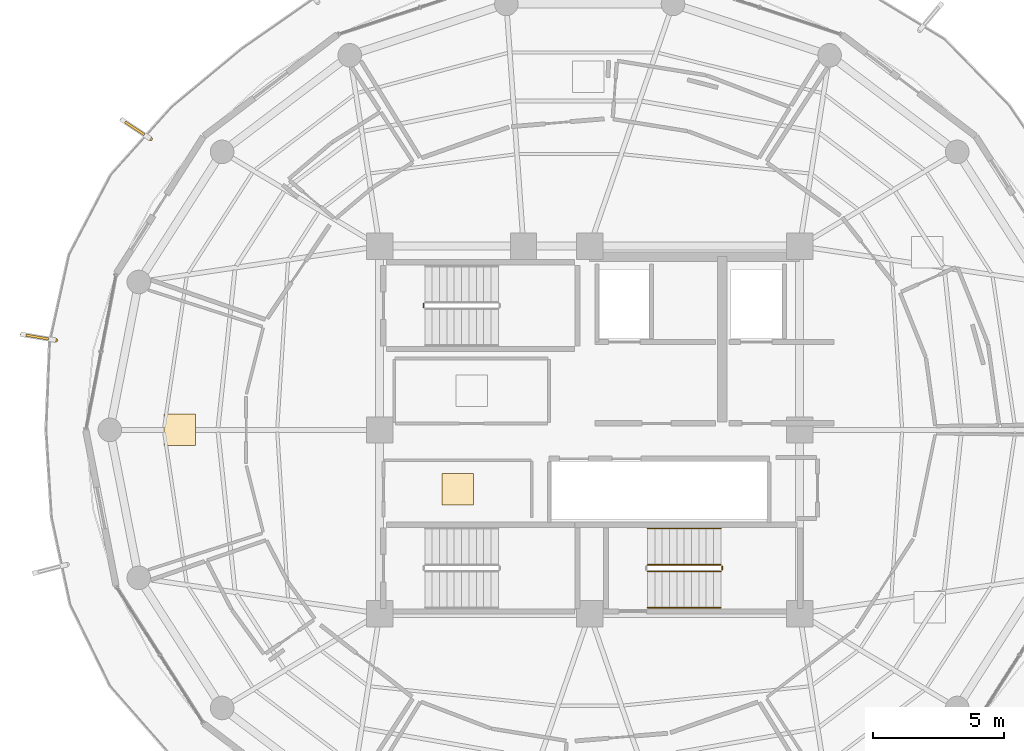
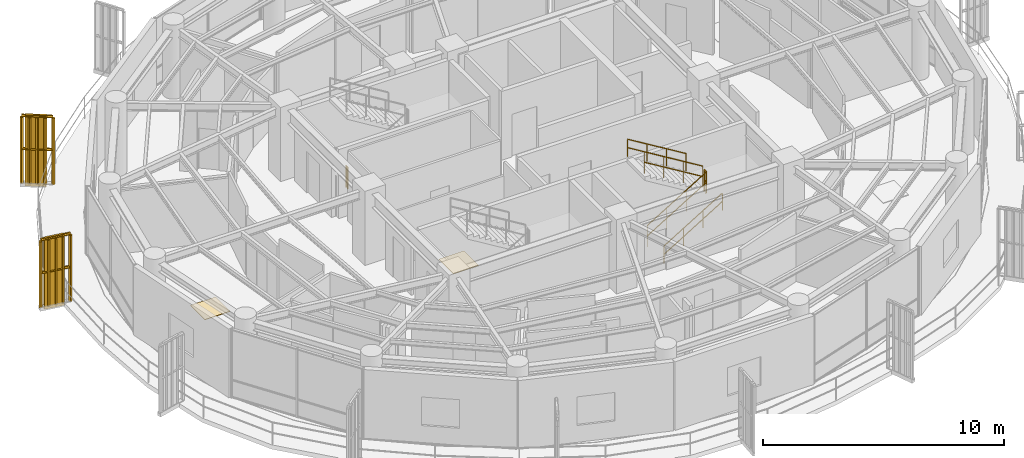
# One storey, part 20 of 22: 8 railings, 2 coverings, 2 shading devices.
"""IFC4 building model written with IfcOpenShell, lengths in metres."""

from ifc_helpers import new_model, si_unit, direction, frame, origin, origin_2d, place, context, subcontext, project, spatial, polyline, rectangle, outline, extrude, source, transform, mapped, material, layer, layer_set, type_object, element, save


model = new_model("IFC4")

# Units and contexts
model_context = context("Model", 3, precision=1e-05, world=origin(), true_north=direction((0.0, 1.0)))
body_context = subcontext(model_context, "Body", "Model", "MODEL_VIEW")
ifc_project = project(units=[si_unit("LENGTHUNIT", "METRE"), si_unit("AREAUNIT", "SQUARE_METRE"), si_unit("VOLUMEUNIT", "CUBIC_METRE"), si_unit("PLANEANGLEUNIT", "RADIAN"), si_unit("MASSUNIT", "GRAM", prefix="KILO")], contexts=[model_context])

# Site, building, storey
site_placement = place(None, origin())
site = spatial("IfcSite", under=ifc_project, at=site_placement, CompositionType="ELEMENT")
building_placement = place(site_placement, origin())
building = spatial("IfcBuilding", under=site, at=building_placement, Name="Kelanora Arch Commons", CompositionType="ELEMENT")
storey_placement = place(building_placement, frame((0.0, 0.0, 271.199951171875)))
storey = spatial("IfcBuildingStorey", under=building, at=storey_placement, Name="L69", CompositionType="ELEMENT", Elevation=271.199951171875)

# Railings
ifc_material_1 = material(Name="Anodised bronze vertical shading fin rib assembly")
railing_type_1 = type_object("IfcRailingType", Name="RAIL-FIN-BRZ", PredefinedType="BALUSTRADE", material=ifc_material_1)
railing_1_placement = place(storey_placement, frame((57.269287109375, 69.09130859375, -0.02001953125)))
element("IfcRailing", 1, at=railing_1_placement, inside=storey, type_object=railing_type_1, Name="Sweeping Bronze Vertical Fin Blade L69-07", PredefinedType="BALUSTRADE", context=body_context, shape_type="SweptSolid", body=[
    extrude(outline(polyline([(0.06982421875, 0.0), (0.034912109375, 0.060546875), (-0.034912109375, 0.060546875), (-0.06982421875, 0.0), (-0.034912109375, -0.060546875), (0.034912109375, -0.060546875), (0.06982421875, 0.0)])), frame((0.0, 0.0, 3.419921875), z_axis=(-0.833429207488, 0.552626235448, 0.0), x_axis=(-0.552626235448, -0.833429207488, 0.0)), (0.0, 0.0, 1.0), 1.304931640625),
    extrude(outline(polyline([(0.06982421875, 0.0), (0.034912109375, 0.060546875), (-0.034912109375, 0.060546875), (-0.06982421875, 0.0), (-0.034912109375, -0.060546875), (0.034912109375, -0.060546875), (0.06982421875, 0.0)])), frame((0.0, 0.0, 1.7451171875), z_axis=(-0.833429207488, 0.552626235448, 0.0), x_axis=(-0.552626235448, -0.833429207488, 0.0)), (0.0, 0.0, 1.0), 1.304931640625),
    extrude(outline(polyline([(0.080078125, 0.0), (0.0400390625, 0.0693359375), (-0.0400390625, 0.0693359375), (-0.080078125, 0.0), (-0.0400390625, -0.0693359375), (0.0400390625, -0.0693359375), (0.080078125, 0.0)])), origin(), (0.0, 0.0, 1.0), 3.35009765625),
    extrude(outline(polyline([(0.080078125, 0.0), (0.0400390625, 0.0693359375), (-0.0400390625, 0.0693359375), (-0.080078125, 0.0), (-0.0400390625, -0.0693359375), (0.0400390625, -0.0693359375), (0.080078125, 0.0)])), frame((-0.27197265625, 0.18017578125, 0.0)), (0.0, 0.0, 1.0), 3.35009765625),
    extrude(outline(polyline([(0.080078125, 0.0), (0.0400390625, 0.0693359375), (-0.0400390625, 0.0693359375), (-0.080078125, 0.0), (-0.0400390625, -0.0693359375), (0.0400390625, -0.0693359375), (0.080078125, 0.0)])), frame((-0.5439453125, 0.360595703125, 0.0)), (0.0, 0.0, 1.0), 3.35009765625),
    extrude(outline(polyline([(0.080078125, 0.0), (0.0400390625, 0.0693359375), (-0.0400390625, 0.0693359375), (-0.080078125, 0.0), (-0.0400390625, -0.0693359375), (0.0400390625, -0.0693359375), (0.080078125, 0.0)])), frame((-0.815673828125, 0.541015625, 0.0)), (0.0, 0.0, 1.0), 3.35009765625),
    extrude(outline(polyline([(0.080078125, 0.0), (0.0400390625, 0.0693359375), (-0.0400390625, 0.0693359375), (-0.080078125, 0.0), (-0.0400390625, -0.0693359375), (0.0400390625, -0.0693359375), (0.080078125, 0.0)])), frame((-1.087646484375, 0.72119140625, 0.0)), (0.0, 0.0, 1.0), 3.35009765625),
])
railing_2_placement = place(storey_placement, frame((53.663818359375, 61.41845703125, -0.02001953125)))
element("IfcRailing", 2, at=railing_2_placement, inside=storey, type_object=railing_type_1, Name="Sweeping Bronze Vertical Fin Blade L69-08", PredefinedType="BALUSTRADE", context=body_context, shape_type="SweptSolid", body=[
    extrude(outline(polyline([(0.06982421875, 0.0), (0.034912109375, 0.060546875), (-0.034912109375, 0.060546875), (-0.06982421875, 0.0), (-0.034912109375, -0.060546875), (0.034912109375, -0.060546875), (0.06982421875, 0.0)])), frame((0.0, 0.0, 3.419921875), z_axis=(-0.986165433862, 0.165764100626, 0.0), x_axis=(-0.165764100626, -0.986165433862, 0.0)), (0.0, 0.0, 1.0), 1.304931640625),
    extrude(outline(polyline([(0.06982421875, 0.0), (0.034912109375, 0.060546875), (-0.034912109375, 0.060546875), (-0.06982421875, 0.0), (-0.034912109375, -0.060546875), (0.034912109375, -0.060546875), (0.06982421875, 0.0)])), frame((0.0, 0.0, 1.7451171875), z_axis=(-0.986165433862, 0.165764100626, 0.0), x_axis=(-0.165764100626, -0.986165433862, 0.0)), (0.0, 0.0, 1.0), 1.304931640625),
    extrude(outline(polyline([(0.080078125, 0.0), (0.0400390625, 0.0693359375), (-0.0400390625, 0.0693359375), (-0.080078125, 0.0), (-0.0400390625, -0.0693359375), (0.0400390625, -0.0693359375), (0.080078125, 0.0)])), origin(), (0.0, 0.0, 1.0), 3.35009765625),
    extrude(outline(polyline([(0.080078125, 0.0), (0.0400390625, 0.0693359375), (-0.0400390625, 0.0693359375), (-0.080078125, 0.0), (-0.0400390625, -0.0693359375), (0.0400390625, -0.0693359375), (0.080078125, 0.0)])), frame((-0.32177734375, 0.05419921875, 0.0)), (0.0, 0.0, 1.0), 3.35009765625),
    extrude(outline(polyline([(0.080078125, 0.0), (0.0400390625, 0.0693359375), (-0.0400390625, 0.0693359375), (-0.080078125, 0.0), (-0.0400390625, -0.0693359375), (0.0400390625, -0.0693359375), (0.080078125, 0.0)])), frame((-0.6435546875, 0.108154296875, 0.0)), (0.0, 0.0, 1.0), 3.35009765625),
    extrude(outline(polyline([(0.080078125, 0.0), (0.0400390625, 0.0693359375), (-0.0400390625, 0.0693359375), (-0.080078125, 0.0), (-0.0400390625, -0.0693359375), (0.0400390625, -0.0693359375), (0.080078125, 0.0)])), frame((-0.965087890625, 0.162109375, 0.0)), (0.0, 0.0, 1.0), 3.35009765625),
    extrude(outline(polyline([(0.080078125, 0.0), (0.0400390625, 0.0693359375), (-0.0400390625, 0.0693359375), (-0.080078125, 0.0), (-0.0400390625, -0.0693359375), (0.0400390625, -0.0693359375), (0.080078125, 0.0)])), frame((-1.286865234375, 0.21630859375, 0.0)), (0.0, 0.0, 1.0), 3.35009765625),
])
ifc_material_2 = material(Name="Painted steel stair well guard", Category="steel")
railing_type_2 = type_object("IfcRailingType", Name="RAIL-STAIR-GRD", PredefinedType="GUARDRAIL", material=ifc_material_2)
railing_3_placement = place(storey_placement, frame((67.669921875, 62.659912109375, 0.0)))
element("IfcRailing", 3, at=railing_3_placement, inside=storey, type_object=railing_type_2, Name="L69 ST-T1 stair guard 4", PredefinedType="GUARDRAIL", context=body_context, shape_type="SweptSolid", body=[
    extrude(outline(polyline([(0.02392578125, 0.0), (0.011962890625, 0.020751953125), (-0.011962890625, 0.020751953125), (-0.02392578125, 0.0), (-0.011962890625, -0.020751953125), (0.011962890625, -0.020751953125), (0.02392578125, 0.0)])), frame((0.0, 0.0, 1.076171875), z_axis=(0.0, 1.0, 0.0), x_axis=(-1.0, 0.0, 0.0)), (0.0, 0.0, 1.0), 0.150146484375),
    extrude(outline(polyline([(0.02392578125, 0.0), (0.011962890625, 0.020751953125), (-0.011962890625, 0.020751953125), (-0.02392578125, 0.0), (-0.011962890625, -0.020751953125), (0.011962890625, -0.020751953125), (0.02392578125, 0.0)])), frame((0.0, 0.0, 0.550048828125), z_axis=(0.0, 1.0, 0.0), x_axis=(-1.0, 0.0, 0.0)), (0.0, 0.0, 1.0), 0.150146484375),
    extrude(outline(polyline([(0.02099609375, 0.0), (0.010498046875, 0.01806640625), (-0.010498046875, 0.01806640625), (-0.02099609375, 0.0), (-0.010498046875, -0.01806640625), (0.010498046875, -0.01806640625), (0.02099609375, 0.0)])), origin(), (0.0, 0.0, 1.0), 1.052001953125),
    extrude(outline(polyline([(0.02099609375, 0.0), (0.010498046875, 0.01806640625), (-0.010498046875, 0.01806640625), (-0.02099609375, 0.0), (-0.010498046875, -0.01806640625), (0.010498046875, -0.01806640625), (0.02099609375, 0.0)])), frame((0.0, 0.150146484375, 0.0)), (0.0, 0.0, 1.0), 1.052001953125),
])
railing_4_placement = place(storey_placement, frame((76.199951171875, 52.610107421875, 0.17041015625)))
element("IfcRailing", 4, at=railing_4_placement, inside=storey, type_object=railing_type_2, Name="L69 ST-T2 stair guard 1", PredefinedType="GUARDRAIL", context=body_context, shape_type="SweptSolid", body=[
    extrude(outline(polyline([(0.02392578125, 0.0), (0.011962890625, 0.020751953125), (-0.011962890625, 0.020751953125), (-0.02392578125, 0.0), (-0.011962890625, -0.020751953125), (0.011962890625, -0.020751953125), (0.02392578125, 0.0)])), frame((0.0, 0.0, 1.076171875), z_axis=(0.854169791009, 0.0, 0.51999420009), x_axis=(0.0, 1.0, 0.0)), (0.0, 0.0, 1.0), 3.278076171875),
    extrude(outline(polyline([(0.02392578125, 0.0), (0.011962890625, 0.020751953125), (-0.011962890625, 0.020751953125), (-0.02392578125, 0.0), (-0.011962890625, -0.020751953125), (0.011962890625, -0.020751953125), (0.02392578125, 0.0)])), frame((0.0, 0.0, 0.550048828125), z_axis=(0.854169791009, 0.0, 0.51999420009), x_axis=(0.0, 1.0, 0.0)), (0.0, 0.0, 1.0), 3.278076171875),
    extrude(outline(polyline([(0.02099609375, 0.0), (0.010498046875, 0.01806640625), (-0.010498046875, 0.01806640625), (-0.02099609375, 0.0), (-0.010498046875, -0.01806640625), (0.010498046875, -0.01806640625), (0.02099609375, 0.0)])), origin(), (0.0, 0.0, 1.0), 1.052001953125),
    extrude(outline(polyline([(0.02099609375, 0.0), (0.010498046875, 0.01806640625), (-0.010498046875, 0.01806640625), (-0.02099609375, 0.0), (-0.010498046875, -0.01806640625), (0.010498046875, -0.01806640625), (0.02099609375, 0.0)])), frame((0.933349609375, 0.0, 0.568115234375)), (0.0, 0.0, 1.0), 1.052001953125),
    extrude(outline(polyline([(0.02099609375, 0.0), (0.010498046875, 0.01806640625), (-0.010498046875, 0.01806640625), (-0.02099609375, 0.0), (-0.010498046875, -0.01806640625), (0.010498046875, -0.01806640625), (0.02099609375, 0.0)])), frame((1.86669921875, 0.0, 1.136474609375)), (0.0, 0.0, 1.0), 1.052001953125),
    extrude(outline(polyline([(0.02099609375, 0.0), (0.010498046875, 0.01806640625), (-0.010498046875, 0.01806640625), (-0.02099609375, 0.0), (-0.010498046875, -0.01806640625), (0.010498046875, -0.01806640625), (0.02099609375, 0.0)])), frame((2.800048828125, 0.0, 1.70458984375)), (0.0, 0.0, 1.0), 1.052001953125),
])
railing_5_placement = place(storey_placement, frame((79.050048828125, 52.659912109375, 1.875)))
element("IfcRailing", 5, at=railing_5_placement, inside=storey, type_object=railing_type_2, Name="L69 ST-T2 stair guard 2", PredefinedType="GUARDRAIL", context=body_context, shape_type="SweptSolid", body=[
    extrude(outline(polyline([(0.02392578125, 0.0), (0.011962890625, 0.020751953125), (-0.011962890625, 0.020751953125), (-0.02392578125, 0.0), (-0.011962890625, -0.020751953125), (0.011962890625, -0.020751953125), (0.02392578125, 0.0)])), frame((0.0, 0.0, 1.076171875), z_axis=(0.0, 1.0, 0.0), x_axis=(-1.0, 0.0, 0.0)), (0.0, 0.0, 1.0), 0.150146484375),
    extrude(outline(polyline([(0.02392578125, 0.0), (0.011962890625, 0.020751953125), (-0.011962890625, 0.020751953125), (-0.02392578125, 0.0), (-0.011962890625, -0.020751953125), (0.011962890625, -0.020751953125), (0.02392578125, 0.0)])), frame((0.0, 0.0, 0.550048828125), z_axis=(0.0, 1.0, 0.0), x_axis=(-1.0, 0.0, 0.0)), (0.0, 0.0, 1.0), 0.150146484375),
    extrude(outline(polyline([(0.02099609375, 0.0), (0.010498046875, 0.01806640625), (-0.010498046875, 0.01806640625), (-0.02099609375, 0.0), (-0.010498046875, -0.01806640625), (0.010498046875, -0.01806640625), (0.02099609375, 0.0)])), origin(), (0.0, 0.0, 1.0), 1.052001953125),
    extrude(outline(polyline([(0.02099609375, 0.0), (0.010498046875, 0.01806640625), (-0.010498046875, 0.01806640625), (-0.02099609375, 0.0), (-0.010498046875, -0.01806640625), (0.010498046875, -0.01806640625), (0.02099609375, 0.0)])), frame((0.0, 0.150146484375, 0.0)), (0.0, 0.0, 1.0), 1.052001953125),
])
railing_6_placement = place(storey_placement, frame((79.0, 52.860107421875, 2.04541015625)))
element("IfcRailing", 6, at=railing_6_placement, inside=storey, type_object=railing_type_2, Name="L69 ST-T2 stair guard 3", PredefinedType="GUARDRAIL", context=body_context, shape_type="SweptSolid", body=[
    extrude(outline(polyline([(0.02392578125, 0.0), (0.011962890625, 0.020751953125), (-0.011962890625, 0.020751953125), (-0.02392578125, 0.0), (-0.011962890625, -0.020751953125), (0.011962890625, -0.020751953125), (0.02392578125, 0.0)])), frame((0.0, 0.0, 1.076171875), z_axis=(-0.854169791009, 0.0, 0.51999420009), x_axis=(0.0, -1.0, 0.0)), (0.0, 0.0, 1.0), 3.278076171875),
    extrude(outline(polyline([(0.02392578125, 0.0), (0.011962890625, 0.020751953125), (-0.011962890625, 0.020751953125), (-0.02392578125, 0.0), (-0.011962890625, -0.020751953125), (0.011962890625, -0.020751953125), (0.02392578125, 0.0)])), frame((0.0, 0.0, 0.550048828125), z_axis=(-0.854169791009, 0.0, 0.51999420009), x_axis=(0.0, -1.0, 0.0)), (0.0, 0.0, 1.0), 3.278076171875),
    extrude(outline(polyline([(0.02099609375, 0.0), (0.010498046875, 0.01806640625), (-0.010498046875, 0.01806640625), (-0.02099609375, 0.0), (-0.010498046875, -0.01806640625), (0.010498046875, -0.01806640625), (0.02099609375, 0.0)])), origin(), (0.0, 0.0, 1.0), 1.052001953125),
    extrude(outline(polyline([(0.02099609375, 0.0), (0.010498046875, 0.01806640625), (-0.010498046875, 0.01806640625), (-0.02099609375, 0.0), (-0.010498046875, -0.01806640625), (0.010498046875, -0.01806640625), (0.02099609375, 0.0)])), frame((-0.933349609375, 0.0, 0.568115234375)), (0.0, 0.0, 1.0), 1.052001953125),
    extrude(outline(polyline([(0.02099609375, 0.0), (0.010498046875, 0.01806640625), (-0.010498046875, 0.01806640625), (-0.02099609375, 0.0), (-0.010498046875, -0.01806640625), (0.010498046875, -0.01806640625), (0.02099609375, 0.0)])), frame((-1.86669921875, 0.0, 1.136474609375)), (0.0, 0.0, 1.0), 1.052001953125),
    extrude(outline(polyline([(0.02099609375, 0.0), (0.010498046875, 0.01806640625), (-0.010498046875, 0.01806640625), (-0.02099609375, 0.0), (-0.010498046875, -0.01806640625), (0.010498046875, -0.01806640625), (0.02099609375, 0.0)])), frame((-2.800048828125, 0.0, 1.70458984375)), (0.0, 0.0, 1.0), 1.052001953125),
])
ifc_material_3 = material(Name="Brushed stainless steel stair handrail", Category="steel")
railing_type_3 = type_object("IfcRailingType", Name="RAIL-STAIR-HND", PredefinedType="HANDRAIL", material=ifc_material_3)
railing_7_placement = place(storey_placement, frame((76.199951171875, 51.22998046875, 0.17041015625)))
element("IfcRailing", 7, at=railing_7_placement, inside=storey, type_object=railing_type_3, Name="L69 ST-T2 stair handrail 1", PredefinedType="HANDRAIL", context=body_context, shape_type="SweptSolid", body=[
    extrude(outline(polyline([(0.02392578125, 0.0), (0.011962890625, 0.020751953125), (-0.011962890625, 0.020751953125), (-0.02392578125, 0.0), (-0.011962890625, -0.020751953125), (0.011962890625, -0.020751953125), (0.02392578125, 0.0)])), frame((0.0, 0.0, 0.8759765625), z_axis=(0.854169791009, 0.0, 0.51999420009), x_axis=(0.0, 1.0, 0.0)), (0.0, 0.0, 1.0), 3.278076171875),
    extrude(outline(polyline([(0.02392578125, 0.0), (0.011962890625, 0.020751953125), (-0.011962890625, 0.020751953125), (-0.02392578125, 0.0), (-0.011962890625, -0.020751953125), (0.011962890625, -0.020751953125), (0.02392578125, 0.0)])), frame((0.0, 0.0, 0.449951171875), z_axis=(0.854169791009, 0.0, 0.51999420009), x_axis=(0.0, 1.0, 0.0)), (0.0, 0.0, 1.0), 3.278076171875),
    extrude(outline(polyline([(0.02099609375, 0.0), (0.010498046875, 0.01806640625), (-0.010498046875, 0.01806640625), (-0.02099609375, 0.0), (-0.010498046875, -0.01806640625), (0.010498046875, -0.01806640625), (0.02099609375, 0.0)])), origin(), (0.0, 0.0, 1.0), 0.851806640625),
    extrude(outline(polyline([(0.02099609375, 0.0), (0.010498046875, 0.01806640625), (-0.010498046875, 0.01806640625), (-0.02099609375, 0.0), (-0.010498046875, -0.01806640625), (0.010498046875, -0.01806640625), (0.02099609375, 0.0)])), frame((0.933349609375, 0.0, 0.568115234375)), (0.0, 0.0, 1.0), 0.851806640625),
    extrude(outline(polyline([(0.02099609375, 0.0), (0.010498046875, 0.01806640625), (-0.010498046875, 0.01806640625), (-0.02099609375, 0.0), (-0.010498046875, -0.01806640625), (0.010498046875, -0.01806640625), (0.02099609375, 0.0)])), frame((1.86669921875, 0.0, 1.136474609375)), (0.0, 0.0, 1.0), 0.851806640625),
    extrude(outline(polyline([(0.02099609375, 0.0), (0.010498046875, 0.01806640625), (-0.010498046875, 0.01806640625), (-0.02099609375, 0.0), (-0.010498046875, -0.01806640625), (0.010498046875, -0.01806640625), (0.02099609375, 0.0)])), frame((2.800048828125, 0.0, 1.70458984375)), (0.0, 0.0, 1.0), 0.851806640625),
])
railing_8_placement = place(storey_placement, frame((79.0, 54.239990234375, 2.04541015625)))
element("IfcRailing", 8, at=railing_8_placement, inside=storey, type_object=railing_type_3, Name="L69 ST-T2 stair handrail 2", PredefinedType="HANDRAIL", context=body_context, shape_type="SweptSolid", body=[
    extrude(outline(polyline([(0.02392578125, 0.0), (0.011962890625, 0.020751953125), (-0.011962890625, 0.020751953125), (-0.02392578125, 0.0), (-0.011962890625, -0.020751953125), (0.011962890625, -0.020751953125), (0.02392578125, 0.0)])), frame((0.0, 0.0, 0.8759765625), z_axis=(-0.854169791009, 0.0, 0.51999420009), x_axis=(0.0, -1.0, 0.0)), (0.0, 0.0, 1.0), 3.278076171875),
    extrude(outline(polyline([(0.02392578125, 0.0), (0.011962890625, 0.020751953125), (-0.011962890625, 0.020751953125), (-0.02392578125, 0.0), (-0.011962890625, -0.020751953125), (0.011962890625, -0.020751953125), (0.02392578125, 0.0)])), frame((0.0, 0.0, 0.449951171875), z_axis=(-0.854169791009, 0.0, 0.51999420009), x_axis=(0.0, -1.0, 0.0)), (0.0, 0.0, 1.0), 3.278076171875),
    extrude(outline(polyline([(0.02099609375, 0.0), (0.010498046875, 0.01806640625), (-0.010498046875, 0.01806640625), (-0.02099609375, 0.0), (-0.010498046875, -0.01806640625), (0.010498046875, -0.01806640625), (0.02099609375, 0.0)])), origin(), (0.0, 0.0, 1.0), 0.851806640625),
    extrude(outline(polyline([(0.02099609375, 0.0), (0.010498046875, 0.01806640625), (-0.010498046875, 0.01806640625), (-0.02099609375, 0.0), (-0.010498046875, -0.01806640625), (0.010498046875, -0.01806640625), (0.02099609375, 0.0)])), frame((-0.933349609375, 0.0, 0.568115234375)), (0.0, 0.0, 1.0), 0.851806640625),
    extrude(outline(polyline([(0.02099609375, 0.0), (0.010498046875, 0.01806640625), (-0.010498046875, 0.01806640625), (-0.02099609375, 0.0), (-0.010498046875, -0.01806640625), (0.010498046875, -0.01806640625), (0.02099609375, 0.0)])), frame((-1.86669921875, 0.0, 1.136474609375)), (0.0, 0.0, 1.0), 0.851806640625),
    extrude(outline(polyline([(0.02099609375, 0.0), (0.010498046875, 0.01806640625), (-0.010498046875, 0.01806640625), (-0.02099609375, 0.0), (-0.010498046875, -0.01806640625), (0.010498046875, -0.01806640625), (0.02099609375, 0.0)])), frame((-2.800048828125, 0.0, 1.70458984375)), (0.0, 0.0, 1.0), 0.851806640625),
])

# Shading devices
ifc_material_4 = material(Name="Terracotta ceramic-clad extruded aluminium fin", Category="masonry")
shading_device_type = type_object("IfcShadingDeviceType", Name="SHD-FIN-FLARE", PredefinedType="USERDEFINED", material=ifc_material_4)
shared_shape_1 = source(origin(), body_context, "Body", "SweptSolid", [
    extrude(rectangle(XDim=0.8798828125, YDim=0.090087890625, at=origin_2d()), origin(), (0.0, 0.0, 1.0), 3.610107421875),
])
for number, where, z_axis, x_axis, name in (
    (9, (56.669189453125, 69.4892578125, -0.14013671875), (0.0, 0.0, 1.0), (-0.833500294179, 0.552519012888, 0.0), "Sweeping Terracotta Fin L69-07"),
    (10, (52.953857421875, 61.537841796875, -0.14013671875), (0.0, 0.0, 1.0), (-0.986170136229, 0.165736122828, 0.0), "Sweeping Terracotta Fin L69-08"),
):
    element("IfcShadingDevice", number, at=place(storey_placement, frame(where, z_axis=z_axis, x_axis=x_axis)), inside=storey, type_object=shading_device_type, Name=name, ObjectType="FIN", PredefinedType="USERDEFINED", context=body_context, shape_type="MappedRepresentation", body=[
        mapped(shared_shape_1, transform((0.0, 0.0, 0.0), scale=1.0)),
    ])

# Coverings
ifc_material_5 = material(Name="Polished local granite terrazzo flooring", Category="masonry")
ifc_layer = layer(ifc_material_5, 0.030029296875)
ifc_layer_set = layer_set([ifc_layer], Name="Polished local granite terrazzo flooring")
covering_type = type_object("IfcCoveringType", Name="COV-FLR-TER", PredefinedType="FLOORING", material=ifc_layer_set)
shared_shape_2 = source(origin(), body_context, "Body", "SweptSolid", [
    extrude(rectangle(XDim=1.199951171875, YDim=1.199951171875, at=origin_2d()), origin(), (0.0, 0.0, 1.0), 0.030029296875),
])
for number, where, z_axis, x_axis, name in (
    (11, (68.97509765625, 55.735107421875, 0.0), (0.0, 0.0, 1.0), (1.0, 0.0, 0.0), "Reclaimed Core High-Zone Pantry and Copy Room L69 Terrazzo Finish"),
    (12, (58.388427734375, 58.0, 0.0), (0.0, 0.0, 1.0), (1.0, 0.0, 0.0), "Social Sky Lounge L69-03 Terrazzo Finish"),
):
    element("IfcCovering", number, at=place(storey_placement, frame(where, z_axis=z_axis, x_axis=x_axis)), inside=storey, type_object=covering_type, Name=name, PredefinedType="FLOORING", context=body_context, shape_type="MappedRepresentation", body=[
        mapped(shared_shape_2, transform((0.0, 0.0, 0.0), scale=1.0)),
    ])

save(model, "model.ifc")
